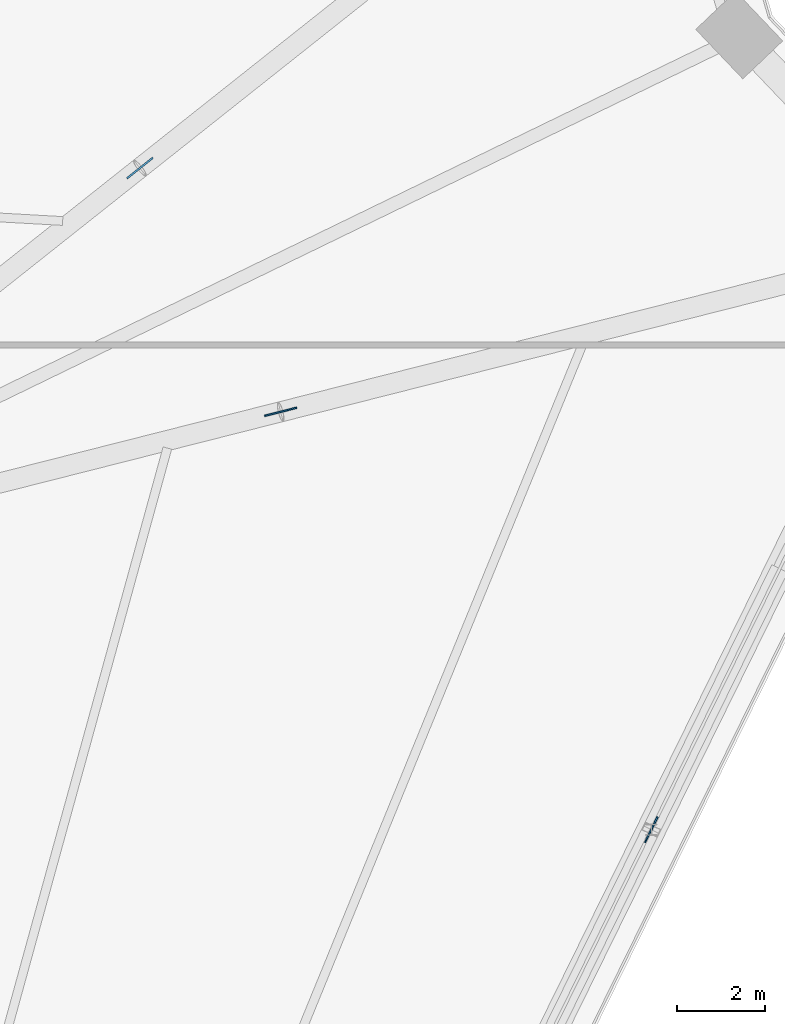
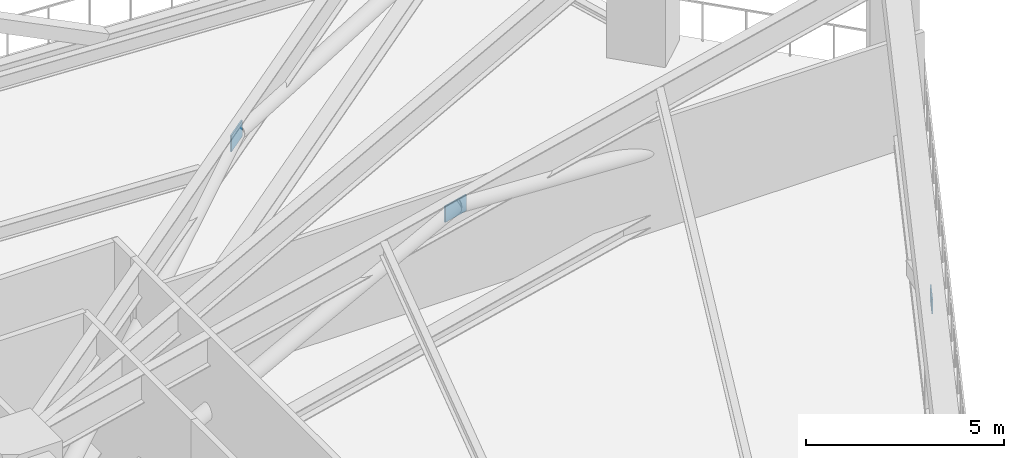
# One storey, part 15 of 25: 3 plates.
"""IFC4 building model written with IfcOpenShell, lengths in metres."""

from ifc_helpers import new_model, si_unit, direction, frame, origin, origin_2d, place, context, subcontext, project, spatial, rectangle, extrude, source, transform, mapped, material, layer, layer_set, type_object, element, save


model = new_model("IFC4")

# Units and contexts
model_context = context("Model", 3, precision=1e-05, world=origin(), true_north=direction((0.0, 1.0)))
body_context = subcontext(model_context, "Body", "Model", "MODEL_VIEW")
ifc_project = project(units=[si_unit("LENGTHUNIT", "METRE"), si_unit("AREAUNIT", "SQUARE_METRE"), si_unit("VOLUMEUNIT", "CUBIC_METRE"), si_unit("PLANEANGLEUNIT", "RADIAN"), si_unit("MASSUNIT", "GRAM", prefix="KILO")], contexts=[model_context])

# Site, building, storey
site_placement = place(None, origin())
site = spatial("IfcSite", under=ifc_project, at=site_placement, CompositionType="ELEMENT")
building_placement = place(site_placement, origin())
building = spatial("IfcBuilding", under=site, at=building_placement, Name="Liaohun Quay Tower", CompositionType="ELEMENT")
storey_placement = place(building_placement, frame((0.0, 0.0, 47.25)))
storey = spatial("IfcBuildingStorey", under=building, at=storey_placement, Name="L12", CompositionType="ELEMENT", Elevation=47.25)

# Plates
ifc_material = material(Name="Steel Q420D outrigger node gusset plate", Category="steel")
ifc_layer = layer(ifc_material, 0.0400390625, Name="Steel Q420D outrigger node gusset plate", Category="steel")
ifc_layer_set = layer_set([ifc_layer], Name="Steel Q420D outrigger node gusset plate")
plate_type = type_object("IfcPlateType", Name="PLT-GUS-OUT", PredefinedType="USERDEFINED", material=ifc_layer_set)
shared_shape_1 = source(origin(), body_context, "Body", "SweptSolid", [
    extrude(rectangle(XDim=0.75, YDim=0.0400390625, at=origin_2d()), origin(), (0.0, 0.0, 1.0), 0.5),
])
for number, where, z_axis, x_axis, name in (
    (1, (80.7509765625, 70.820068359375, 3.669921875), (0.0, 0.0, 1.0), (0.783476588107, 0.621421303053, 0.0), "L12 Outrigger Node Gusset Plate GP1-04"),
    (2, (83.947021484375, 65.285888671875, 3.669921875), (0.0, 0.0, 1.0), (0.969359662404, 0.245645771192, 0.0), "L12 Outrigger Node Gusset Plate GP1-05"),
):
    element("IfcPlate", number, at=place(storey_placement, frame(where, z_axis=z_axis, x_axis=x_axis)), inside=storey, type_object=plate_type, Name=name, ObjectType="GUSSET PLATE", PredefinedType="USERDEFINED", context=body_context, shape_type="MappedRepresentation", body=[
        mapped(shared_shape_1, transform((0.0, 0.0, 0.0), x_axis=(1.0, 0.0, 0.0), y_axis=(0.0, 1.0, 0.0), z_axis=(0.0, 0.0, 1.0), scale=1.0)),
    ])
shared_shape_2 = source(origin(), body_context, "Body", "SweptSolid", [
    extrude(rectangle(XDim=0.64990234375, YDim=0.035888671875, at=origin_2d()), origin(), (0.0, 0.0, 1.0), 0.449951171875),
])
plate_placement = place(storey_placement, frame((92.364013671875, 55.798095703125, 3.69482421875), z_axis=(0.0, 0.0, 1.0), x_axis=(-0.44134924494, -0.897335413316, 0.0)))
element("IfcPlate", 3, at=plate_placement, inside=storey, type_object=plate_type, Name="L12 Belt Truss Node Gusset Plate GP1-B05", ObjectType="GUSSET PLATE", PredefinedType="USERDEFINED", context=body_context, shape_type="MappedRepresentation", body=[
    mapped(shared_shape_2, transform((0.0, 0.0, 0.0), x_axis=(1.0, 0.0, 0.0), y_axis=(0.0, 1.0, 0.0), z_axis=(0.0, 0.0, 1.0), scale=1.0)),
])

save(model, "model.ifc")
